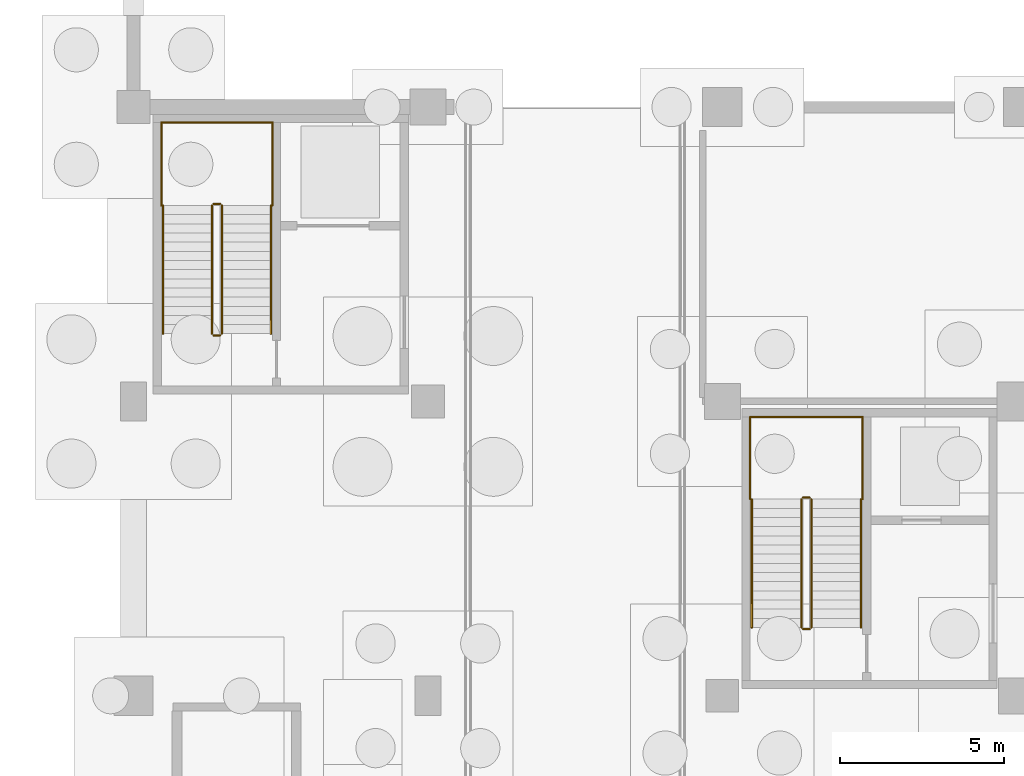
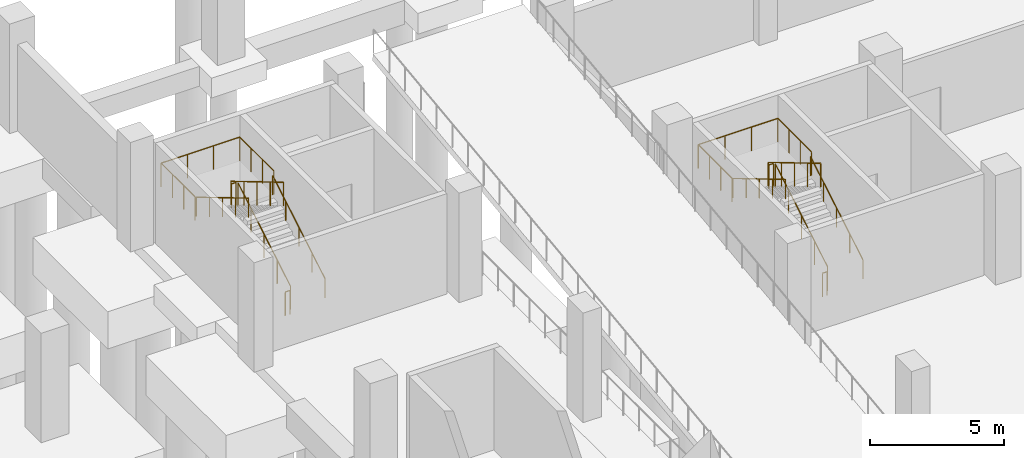
# One storey, part 33 of 37: 18 railings.
"""IFC4 building model written with IfcOpenShell, lengths in metres."""

import ifcopenshell
import ifcopenshell.guid

model = None  # the IFC model being written
_history = None  # IfcOwnerHistory: only IFC2X3 demands one
_inside = {}  # id of a spatial element -> (the spatial element, [elements in it])
_under = {}  # id of a project, library or spatial element -> (it, [spatial elements below it])
_declared = {}  # id of a project -> (the project, [libraries it declares])
_typed = {}  # id of a type object -> (the type object, [elements of that type])
_made_of = {}  # id of a material, layer set ... -> (it, [elements and type objects made of it])


def new_model(schema):
    """Start an empty IFC model of exactly this schema.

    Asked for "IFC4X3", IfcOpenShell would pick the latest addendum, in which some entities
    have other attributes; the version numbers below select the first issue.
    IFC2X3 requires an IfcOwnerHistory on every rooted entity: one is made here for all.
    """
    global model, _history
    if schema == "IFC4X3":
        model = ifcopenshell.file(schema_version=(4, 3, 0, 0))
    else:
        model = ifcopenshell.file(schema=schema)
    _inside.clear()
    _under.clear()
    _declared.clear()
    _typed.clear()
    _made_of.clear()
    _history = None
    if model.schema == "IFC2X3":
        org = make("IfcOrganization", Name="unknown")
        user = make(
            "IfcPersonAndOrganization",
            ThePerson=make("IfcPerson", FamilyName="unknown"),
            TheOrganization=org,
        )
        app = make(
            "IfcApplication",
            ApplicationDeveloper=org,
            Version="unknown",
            ApplicationFullName="unknown",
            ApplicationIdentifier="unknown",
        )
        _history = make(
            "IfcOwnerHistory",
            OwningUser=user,
            OwningApplication=app,
            ChangeAction="ADDED",
            CreationDate=0,
        )
    return model


def make(cls, **values):
    """One entity of the class cls with the attributes given. An attribute that is None is left unset."""
    return model.create_entity(
        cls, **{name: value for name, value in values.items() if value is not None}
    )


def rooted(cls, **values):
    """An entity with a GlobalId (a new one), such as an element, a storey or a relation."""
    return make(cls, GlobalId=ifcopenshell.guid.new(), OwnerHistory=_history, **values)


def si_unit(unit_type, name, prefix=None):
    """IfcSIUnit, for example si_unit("LENGTHUNIT", "METRE", prefix="MILLI")."""
    return make("IfcSIUnit", UnitType=unit_type, Prefix=prefix, Name=name)


def assignment(units):
    """IfcUnitAssignment: the units of a project."""
    return None if units is None else make("IfcUnitAssignment", Units=units)


def point(xyz):
    """IfcCartesianPoint."""
    return None if xyz is None else make("IfcCartesianPoint", Coordinates=xyz)


def direction(xyz):
    """IfcDirection."""
    return None if xyz is None else make("IfcDirection", DirectionRatios=xyz)


def frame(location, z_axis=None, x_axis=None):
    """IfcAxis2Placement3D, a coordinate frame: its origin and axes. An axis left out is left unset."""
    return make(
        "IfcAxis2Placement3D",
        Location=point(location),
        Axis=direction(z_axis),
        RefDirection=direction(x_axis),
    )


def frame_2d(location, x_axis=None):
    """IfcAxis2Placement2D, a coordinate frame in the plane: its origin and x axis."""
    return make(
        "IfcAxis2Placement2D", Location=point(location), RefDirection=direction(x_axis)
    )


def origin():
    """The frame at (0, 0, 0) with its axes left unset."""
    return frame((0.0, 0.0, 0.0))


def origin_2d():
    """The frame at (0, 0) in the plane with its x axis left unset."""
    return frame_2d((0.0, 0.0))


def place(relative_to, where):
    """IfcLocalPlacement: puts the frame where relative to a parent placement (None: the world)."""
    return make(
        "IfcLocalPlacement", PlacementRelTo=relative_to, RelativePlacement=where
    )


def context(
    kind, dimensions, precision=None, world=None, true_north=None, identifier=None
):
    """IfcGeometricRepresentationContext, for example the 3D "Model" context."""
    return make(
        "IfcGeometricRepresentationContext",
        ContextIdentifier=identifier,
        ContextType=kind,
        CoordinateSpaceDimension=dimensions,
        Precision=precision,
        WorldCoordinateSystem=world,
        TrueNorth=true_north,
    )


def subcontext(parent, identifier, kind, view, scale=None):
    """IfcGeometricRepresentationSubContext, for example "Body" below "Model"."""
    return make(
        "IfcGeometricRepresentationSubContext",
        ContextIdentifier=identifier,
        ContextType=kind,
        ParentContext=parent,
        TargetScale=scale,
        TargetView=view,
    )


def project(units=None, contexts=None):
    """IfcProject with its units and contexts."""
    return rooted(
        "IfcProject",
        Name="project",
        RepresentationContexts=contexts,
        UnitsInContext=assignment(units),
    )


def spatial(cls, under=None, at=None, **own):
    """A site, building, storey or space (cls), placed at a placement, below another one or the project."""
    s = rooted(cls, ObjectPlacement=at, **own)
    if under is not None:
        _under.setdefault(under.id(), (under, []))[1].append(s)
    return s


def profile(cls, at=None, kind="AREA", **sizes):
    """A parametric profile (cls). Its sizes go by their IFC names, for example OverallWidth=200.0."""
    return make(cls, ProfileType=kind, Position=at, **sizes)


def circle(**sizes):
    """IfcCircleProfileDef."""
    return profile("IfcCircleProfileDef", **sizes)


def extrude(swept, where, along, depth):
    """IfcExtrudedAreaSolid: the profile swept, set in the frame where, extruded along a direction by depth."""
    return make(
        "IfcExtrudedAreaSolid",
        SweptArea=swept,
        Position=where,
        ExtrudedDirection=direction(along),
        Depth=depth,
    )


def shape(context_of_items, identifier, shape_type, items):
    """IfcShapeRepresentation: the items that make up one representation, for example the "Body"."""
    return make(
        "IfcShapeRepresentation",
        ContextOfItems=context_of_items,
        RepresentationIdentifier=identifier,
        RepresentationType=shape_type,
        Items=items,
    )


def material(Name=None, Category=None):
    """IfcMaterial."""
    return make("IfcMaterial", Name=Name, Category=Category)


def made_of(thing, what):
    """Note that an element or type object is made of a material, layer set ...; save() writes the relation."""
    if what is not None:
        _made_of.setdefault(what.id(), (what, []))[1].append(thing)
    return thing


def type_object(cls, material=None, **own):
    """A type object (cls), such as IfcWallType, which elements share."""
    return made_of(rooted(cls, **own), material)


def element(
    cls,
    number,
    at=None,
    inside=None,
    cuts=None,
    type_object=None,
    material=None,
    context=None,
    identifier="Body",
    shape_type=None,
    held_by="IfcProductDefinitionShape",
    body=None,
    shapes=None,
    **own,
):
    """One element of the class cls, such as IfcWall. Its Tag is "e" and its number.

    at: its placement. inside: the storey or other place that contains it. cuts: it is an
    opening in that element (IfcRelVoidsElement). A single representation is given by context,
    identifier, shape_type and body (its items); several are given by shapes. held_by: the class
    of the entity that holds the representations. save() writes the other relations.
    """
    e = rooted(cls, Tag="e%d" % number, ObjectPlacement=at, **own)
    if body is not None:
        shapes = [shape(context, identifier, shape_type, body)]
    if shapes is not None:
        e.Representation = make(held_by, Representations=shapes)
    if inside is not None:
        _inside.setdefault(inside.id(), (inside, []))[1].append(e)
    if cuts is not None:
        rooted(
            "IfcRelVoidsElement", RelatingBuildingElement=cuts, RelatedOpeningElement=e
        )
    if type_object is not None:
        _typed.setdefault(type_object.id(), (type_object, []))[1].append(e)
    return made_of(e, material)


def aggregate(whole, parts):
    """IfcRelAggregates: a whole, such as a stair, and the parts it consists of."""
    return rooted("IfcRelAggregates", RelatingObject=whole, RelatedObjects=parts)


def save(model, path):
    """Write the relations noted so far, then the file.

    IfcRelAggregates (storeys below a building ...), IfcRelContainedInSpatialStructure (elements
    in a storey), IfcRelDefinesByType, IfcRelAssociatesMaterial and IfcRelDeclares: one each for
    every whole, place, type object, material and project.
    """
    for whole, parts in _under.values():
        aggregate(whole, parts)
    for where, things in _inside.values():
        rooted(
            "IfcRelContainedInSpatialStructure",
            RelatedElements=things,
            RelatingStructure=where,
        )
    for kind, things in _typed.values():
        rooted("IfcRelDefinesByType", RelatedObjects=things, RelatingType=kind)
    for what, things in _made_of.values():
        rooted("IfcRelAssociatesMaterial", RelatedObjects=things, RelatingMaterial=what)
    for by, libraries in _declared.values():
        rooted("IfcRelDeclares", RelatingContext=by, RelatedDefinitions=libraries)
    model.write(path)


model = new_model("IFC4")

# Units and contexts
model_context = context("Model", 3, precision=1e-05, world=origin(), true_north=direction((0.0, 1.0)))
body_context = subcontext(model_context, "Body", "Model", "MODEL_VIEW")
ifc_project = project(units=[si_unit("LENGTHUNIT", "METRE"), si_unit("AREAUNIT", "SQUARE_METRE"), si_unit("VOLUMEUNIT", "CUBIC_METRE"), si_unit("PLANEANGLEUNIT", "RADIAN"), si_unit("MASSUNIT", "GRAM", prefix="KILO")], contexts=[model_context])

# Site, building, storey
site_placement = place(None, origin())
site = spatial("IfcSite", under=ifc_project, at=site_placement, CompositionType="ELEMENT")
building_placement = place(site_placement, origin())
building = spatial("IfcBuilding", under=site, at=building_placement, Name="Barlavento Convention Centre", CompositionType="ELEMENT")
storey_placement = place(building_placement, frame((0.0, 0.0, -5.0)))
storey = spatial("IfcBuildingStorey", under=building, at=storey_placement, Name="B1", CompositionType="ELEMENT", Elevation=-5.0)

# Railings
ifc_material_1 = material(Name="Stainless steel and laminated glass balustrade", Category="steel")
railing_type_1 = type_object("IfcRailingType", Name="ARC-RAL-BAL-1100", PredefinedType="BALUSTRADE", material=ifc_material_1)
railing_1_placement = place(storey_placement, frame((146.719970703125, 92.090087890625, 0.166748046875)))
element("IfcRailing", 1, at=railing_1_placement, inside=storey, type_object=railing_type_1, Name="B1 ST09 stair guard 1", PredefinedType="BALUSTRADE", context=body_context, shape_type="SweptSolid", body=[
    extrude(circle(Radius=0.02392578125, at=origin_2d()), frame((0.0, 0.0, 1.076171875), z_axis=(0.0, 0.859296244711, 0.511478214419), x_axis=(-1.0, 0.0, 0.0)), (0.0, 0.0, 1.0), 4.561767578125),
    extrude(circle(Radius=0.02099609375, at=origin_2d()), origin(), (0.0, 0.0, 1.0), 1.052001953125),
    extrude(circle(Radius=0.02099609375, at=origin_2d()), frame((0.0, 0.97998046875, 0.583251953125)), (0.0, 0.0, 1.0), 1.052001953125),
    extrude(circle(Radius=0.02099609375, at=origin_2d()), frame((0.0, 1.9599609375, 1.16650390625)), (0.0, 0.0, 1.0), 1.052001953125),
    extrude(circle(Radius=0.02099609375, at=origin_2d()), frame((0.0, 2.93994140625, 1.75)), (0.0, 0.0, 1.0), 1.052001953125),
    extrude(circle(Radius=0.02099609375, at=origin_2d()), frame((0.0, 3.919921875, 2.333251953125)), (0.0, 0.0, 1.0), 1.052001953125),
])
railing_2_placement = place(storey_placement, frame((146.669921875, 96.06005859375, 2.5)))
element("IfcRailing", 2, at=railing_2_placement, inside=storey, type_object=railing_type_1, Name="B1 ST09 stair guard 2", PredefinedType="BALUSTRADE", context=body_context, shape_type="SweptSolid", body=[
    extrude(circle(Radius=0.02392578125, at=origin_2d()), frame((0.0, 0.0, 1.076171875), z_axis=(-1.0, 0.0, 0.0), x_axis=(0.0, -1.0, 0.0)), (0.0, 0.0, 1.0), 0.199951171875),
    extrude(circle(Radius=0.02099609375, at=origin_2d()), origin(), (0.0, 0.0, 1.0), 1.052001953125),
    extrude(circle(Radius=0.02099609375, at=origin_2d()), frame((-0.199951171875, 0.0, 0.0)), (0.0, 0.0, 1.0), 1.052001953125),
])
railing_3_placement = place(storey_placement, frame((146.419921875, 96.010009765625, 2.666748046875)))
element("IfcRailing", 3, at=railing_3_placement, inside=storey, type_object=railing_type_1, Name="B1 ST09 stair guard 3", PredefinedType="BALUSTRADE", context=body_context, shape_type="SweptSolid", body=[
    extrude(circle(Radius=0.02392578125, at=origin_2d()), frame((0.0, 0.0, 1.076171875), z_axis=(0.0, -0.859296244711, 0.511478214419), x_axis=(1.0, 0.0, 0.0)), (0.0, 0.0, 1.0), 4.561767578125),
    extrude(circle(Radius=0.02099609375, at=origin_2d()), origin(), (0.0, 0.0, 1.0), 1.052001953125),
    extrude(circle(Radius=0.02099609375, at=origin_2d()), frame((0.0, -0.97998046875, 0.583251953125)), (0.0, 0.0, 1.0), 1.052001953125),
    extrude(circle(Radius=0.02099609375, at=origin_2d()), frame((0.0, -1.9599609375, 1.16650390625)), (0.0, 0.0, 1.0), 1.052001953125),
    extrude(circle(Radius=0.02099609375, at=origin_2d()), frame((0.0, -2.93994140625, 1.75)), (0.0, 0.0, 1.0), 1.052001953125),
    extrude(circle(Radius=0.02099609375, at=origin_2d()), frame((0.0, -3.919921875, 2.333251953125)), (0.0, 0.0, 1.0), 1.052001953125),
])
railing_4_placement = place(storey_placement, frame((146.669921875, 92.0400390625, 0.0)))
element("IfcRailing", 4, at=railing_4_placement, inside=storey, type_object=railing_type_1, Name="B1 ST09 stair guard 4", PredefinedType="BALUSTRADE", context=body_context, shape_type="SweptSolid", body=[
    extrude(circle(Radius=0.02392578125, at=origin_2d()), frame((0.0, 0.0, 1.076171875), z_axis=(-1.0, 0.0, 0.0), x_axis=(0.0, -1.0, 0.0)), (0.0, 0.0, 1.0), 0.199951171875),
    extrude(circle(Radius=0.02099609375, at=origin_2d()), origin(), (0.0, 0.0, 1.0), 1.052001953125),
    extrude(circle(Radius=0.02099609375, at=origin_2d()), frame((-0.199951171875, 0.0, 0.0)), (0.0, 0.0, 1.0), 1.052001953125),
])
for number, where, name in (
    (5, (148.2900390625, 96.010009765625, 2.5), "B1 landing guard GR01"),
    (6, (144.85009765625, 96.010009765625, 2.5), "B1 landing guard GR01"),
):
    element("IfcRailing", number, at=place(storey_placement, frame(where)), inside=storey, type_object=railing_type_1, Name=name, PredefinedType="BALUSTRADE", context=body_context, shape_type="SweptSolid", body=[
        extrude(circle(Radius=0.02392578125, at=origin_2d()), frame((0.0, 0.0, 1.076171875), z_axis=(0.0, 1.0, 0.0), x_axis=(-1.0, 0.0, 0.0)), (0.0, 0.0, 1.0), 2.52001953125),
        extrude(circle(Radius=0.02099609375, at=origin_2d()), origin(), (0.0, 0.0, 1.0), 1.052001953125),
        extrude(circle(Radius=0.02099609375, at=origin_2d()), frame((0.0, 0.840087890625, 0.0)), (0.0, 0.0, 1.0), 1.052001953125),
        extrude(circle(Radius=0.02099609375, at=origin_2d()), frame((0.0, 1.679931640625, 0.0)), (0.0, 0.0, 1.0), 1.052001953125),
        extrude(circle(Radius=0.02099609375, at=origin_2d()), frame((0.0, 2.52001953125, 0.0)), (0.0, 0.0, 1.0), 1.052001953125),
    ])
railing_5_placement = place(storey_placement, frame((148.2900390625, 98.530029296875, 2.5)))
element("IfcRailing", 7, at=railing_5_placement, inside=storey, type_object=railing_type_1, Name="B1 landing guard GR01", PredefinedType="BALUSTRADE", context=body_context, shape_type="SweptSolid", body=[
    extrude(circle(Radius=0.02392578125, at=origin_2d()), frame((0.0, 0.0, 1.076171875), z_axis=(-1.0, 0.0, 0.0), x_axis=(0.0, -1.0, 0.0)), (0.0, 0.0, 1.0), 3.43994140625),
    extrude(circle(Radius=0.02099609375, at=origin_2d()), origin(), (0.0, 0.0, 1.0), 1.052001953125),
    extrude(circle(Radius=0.02099609375, at=origin_2d()), frame((-1.146728515625, 0.0, 0.0)), (0.0, 0.0, 1.0), 1.052001953125),
    extrude(circle(Radius=0.02099609375, at=origin_2d()), frame((-2.293212890625, 0.0, 0.0)), (0.0, 0.0, 1.0), 1.052001953125),
    extrude(circle(Radius=0.02099609375, at=origin_2d()), frame((-3.43994140625, 0.0, 0.0)), (0.0, 0.0, 1.0), 1.052001953125),
])
railing_6_placement = place(storey_placement, frame((128.699951171875, 101.070068359375, 0.166748046875)))
element("IfcRailing", 8, at=railing_6_placement, inside=storey, type_object=railing_type_1, Name="B1 ST10 stair guard 1", PredefinedType="BALUSTRADE", context=body_context, shape_type="SweptSolid", body=[
    extrude(circle(Radius=0.02392578125, at=origin_2d()), frame((0.0, 0.0, 1.076171875), z_axis=(0.0, 0.859296244711, 0.511478214419), x_axis=(-1.0, 0.0, 0.0)), (0.0, 0.0, 1.0), 4.561767578125),
    extrude(circle(Radius=0.02099609375, at=origin_2d()), origin(), (0.0, 0.0, 1.0), 1.052001953125),
    extrude(circle(Radius=0.02099609375, at=origin_2d()), frame((0.0, 0.97998046875, 0.583251953125)), (0.0, 0.0, 1.0), 1.052001953125),
    extrude(circle(Radius=0.02099609375, at=origin_2d()), frame((0.0, 1.9599609375, 1.16650390625)), (0.0, 0.0, 1.0), 1.052001953125),
    extrude(circle(Radius=0.02099609375, at=origin_2d()), frame((0.0, 2.93994140625, 1.75)), (0.0, 0.0, 1.0), 1.052001953125),
    extrude(circle(Radius=0.02099609375, at=origin_2d()), frame((0.0, 3.919921875, 2.333251953125)), (0.0, 0.0, 1.0), 1.052001953125),
])
railing_7_placement = place(storey_placement, frame((128.64990234375, 105.0400390625, 2.5)))
element("IfcRailing", 9, at=railing_7_placement, inside=storey, type_object=railing_type_1, Name="B1 ST10 stair guard 2", PredefinedType="BALUSTRADE", context=body_context, shape_type="SweptSolid", body=[
    extrude(circle(Radius=0.02392578125, at=origin_2d()), frame((0.0, 0.0, 1.076171875), z_axis=(-1.0, 0.0, 0.0), x_axis=(0.0, -1.0, 0.0)), (0.0, 0.0, 1.0), 0.199951171875),
    extrude(circle(Radius=0.02099609375, at=origin_2d()), origin(), (0.0, 0.0, 1.0), 1.052001953125),
    extrude(circle(Radius=0.02099609375, at=origin_2d()), frame((-0.199951171875, 0.0, 0.0)), (0.0, 0.0, 1.0), 1.052001953125),
])
railing_8_placement = place(storey_placement, frame((128.39990234375, 104.989990234375, 2.666748046875)))
element("IfcRailing", 10, at=railing_8_placement, inside=storey, type_object=railing_type_1, Name="B1 ST10 stair guard 3", PredefinedType="BALUSTRADE", context=body_context, shape_type="SweptSolid", body=[
    extrude(circle(Radius=0.02392578125, at=origin_2d()), frame((0.0, 0.0, 1.076171875), z_axis=(0.0, -0.859296244711, 0.511478214419), x_axis=(1.0, 0.0, 0.0)), (0.0, 0.0, 1.0), 4.561767578125),
    extrude(circle(Radius=0.02099609375, at=origin_2d()), origin(), (0.0, 0.0, 1.0), 1.052001953125),
    extrude(circle(Radius=0.02099609375, at=origin_2d()), frame((0.0, -0.97998046875, 0.583251953125)), (0.0, 0.0, 1.0), 1.052001953125),
    extrude(circle(Radius=0.02099609375, at=origin_2d()), frame((0.0, -1.9599609375, 1.16650390625)), (0.0, 0.0, 1.0), 1.052001953125),
    extrude(circle(Radius=0.02099609375, at=origin_2d()), frame((0.0, -2.93994140625, 1.75)), (0.0, 0.0, 1.0), 1.052001953125),
    extrude(circle(Radius=0.02099609375, at=origin_2d()), frame((0.0, -3.919921875, 2.333251953125)), (0.0, 0.0, 1.0), 1.052001953125),
])
railing_9_placement = place(storey_placement, frame((128.64990234375, 101.02001953125, 0.0)))
element("IfcRailing", 11, at=railing_9_placement, inside=storey, type_object=railing_type_1, Name="B1 ST10 stair guard 4", PredefinedType="BALUSTRADE", context=body_context, shape_type="SweptSolid", body=[
    extrude(circle(Radius=0.02392578125, at=origin_2d()), frame((0.0, 0.0, 1.076171875), z_axis=(-1.0, 0.0, 0.0), x_axis=(0.0, -1.0, 0.0)), (0.0, 0.0, 1.0), 0.199951171875),
    extrude(circle(Radius=0.02099609375, at=origin_2d()), origin(), (0.0, 0.0, 1.0), 1.052001953125),
    extrude(circle(Radius=0.02099609375, at=origin_2d()), frame((-0.199951171875, 0.0, 0.0)), (0.0, 0.0, 1.0), 1.052001953125),
])
for number, where, name in (
    (12, (130.25, 104.989990234375, 2.5), "B1 landing guard GR01"),
    (13, (126.85009765625, 104.989990234375, 2.5), "B1 landing guard GR01"),
):
    element("IfcRailing", number, at=place(storey_placement, frame(where)), inside=storey, type_object=railing_type_1, Name=name, PredefinedType="BALUSTRADE", context=body_context, shape_type="SweptSolid", body=[
        extrude(circle(Radius=0.02392578125, at=origin_2d()), frame((0.0, 0.0, 1.076171875), z_axis=(0.0, 1.0, 0.0), x_axis=(-1.0, 0.0, 0.0)), (0.0, 0.0, 1.0), 2.5400390625),
        extrude(circle(Radius=0.02099609375, at=origin_2d()), origin(), (0.0, 0.0, 1.0), 1.052001953125),
        extrude(circle(Radius=0.02099609375, at=origin_2d()), frame((0.0, 0.8466796875, 0.0)), (0.0, 0.0, 1.0), 1.052001953125),
        extrude(circle(Radius=0.02099609375, at=origin_2d()), frame((0.0, 1.693359375, 0.0)), (0.0, 0.0, 1.0), 1.052001953125),
        extrude(circle(Radius=0.02099609375, at=origin_2d()), frame((0.0, 2.5400390625, 0.0)), (0.0, 0.0, 1.0), 1.052001953125),
    ])
railing_10_placement = place(storey_placement, frame((130.25, 107.530029296875, 2.5)))
element("IfcRailing", 14, at=railing_10_placement, inside=storey, type_object=railing_type_1, Name="B1 landing guard GR01", PredefinedType="BALUSTRADE", context=body_context, shape_type="SweptSolid", body=[
    extrude(circle(Radius=0.02392578125, at=origin_2d()), frame((0.0, 0.0, 1.076171875), z_axis=(-1.0, 0.0, 0.0), x_axis=(0.0, -1.0, 0.0)), (0.0, 0.0, 1.0), 3.39990234375),
    extrude(circle(Radius=0.02099609375, at=origin_2d()), origin(), (0.0, 0.0, 1.0), 1.052001953125),
    extrude(circle(Radius=0.02099609375, at=origin_2d()), frame((-1.13330078125, 0.0, 0.0)), (0.0, 0.0, 1.0), 1.052001953125),
    extrude(circle(Radius=0.02099609375, at=origin_2d()), frame((-2.2666015625, 0.0, 0.0)), (0.0, 0.0, 1.0), 1.052001953125),
    extrude(circle(Radius=0.02099609375, at=origin_2d()), frame((-3.39990234375, 0.0, 0.0)), (0.0, 0.0, 1.0), 1.052001953125),
])
ifc_material_2 = material(Name="Brushed stainless steel tubular handrail", Category="steel")
railing_type_2 = type_object("IfcRailingType", Name="ARC-RAL-HR-900", PredefinedType="HANDRAIL", material=ifc_material_2)
railing_11_placement = place(storey_placement, frame((148.239990234375, 92.090087890625, 0.166748046875)))
element("IfcRailing", 15, at=railing_11_placement, inside=storey, type_object=railing_type_2, Name="B1 ST09 stair handrail 1", PredefinedType="HANDRAIL", context=body_context, shape_type="SweptSolid", body=[
    extrude(circle(Radius=0.02392578125, at=origin_2d()), frame((0.0, 0.0, 0.8759765625), z_axis=(0.0, 0.859296244711, 0.511478214419), x_axis=(-1.0, 0.0, 0.0)), (0.0, 0.0, 1.0), 4.561767578125),
    extrude(circle(Radius=0.02099609375, at=origin_2d()), origin(), (0.0, 0.0, 1.0), 0.851806640625),
    extrude(circle(Radius=0.02099609375, at=origin_2d()), frame((0.0, 0.97998046875, 0.583251953125)), (0.0, 0.0, 1.0), 0.851806640625),
    extrude(circle(Radius=0.02099609375, at=origin_2d()), frame((0.0, 1.9599609375, 1.16650390625)), (0.0, 0.0, 1.0), 0.851806640625),
    extrude(circle(Radius=0.02099609375, at=origin_2d()), frame((0.0, 2.93994140625, 1.75)), (0.0, 0.0, 1.0), 0.851806640625),
    extrude(circle(Radius=0.02099609375, at=origin_2d()), frame((0.0, 3.919921875, 2.333251953125)), (0.0, 0.0, 1.0), 0.851806640625),
])
railing_12_placement = place(storey_placement, frame((144.89990234375, 96.010009765625, 2.666748046875)))
element("IfcRailing", 16, at=railing_12_placement, inside=storey, type_object=railing_type_2, Name="B1 ST09 stair handrail 2", PredefinedType="HANDRAIL", context=body_context, shape_type="SweptSolid", body=[
    extrude(circle(Radius=0.02392578125, at=origin_2d()), frame((0.0, 0.0, 0.8759765625), z_axis=(0.0, -0.859296244711, 0.511478214419), x_axis=(1.0, 0.0, 0.0)), (0.0, 0.0, 1.0), 4.561767578125),
    extrude(circle(Radius=0.02099609375, at=origin_2d()), origin(), (0.0, 0.0, 1.0), 0.851806640625),
    extrude(circle(Radius=0.02099609375, at=origin_2d()), frame((0.0, -0.97998046875, 0.583251953125)), (0.0, 0.0, 1.0), 0.851806640625),
    extrude(circle(Radius=0.02099609375, at=origin_2d()), frame((0.0, -1.9599609375, 1.16650390625)), (0.0, 0.0, 1.0), 0.851806640625),
    extrude(circle(Radius=0.02099609375, at=origin_2d()), frame((0.0, -2.93994140625, 1.75)), (0.0, 0.0, 1.0), 0.851806640625),
    extrude(circle(Radius=0.02099609375, at=origin_2d()), frame((0.0, -3.919921875, 2.333251953125)), (0.0, 0.0, 1.0), 0.851806640625),
])
railing_13_placement = place(storey_placement, frame((130.199951171875, 101.070068359375, 0.166748046875)))
element("IfcRailing", 17, at=railing_13_placement, inside=storey, type_object=railing_type_2, Name="B1 ST10 stair handrail 1", PredefinedType="HANDRAIL", context=body_context, shape_type="SweptSolid", body=[
    extrude(circle(Radius=0.02392578125, at=origin_2d()), frame((0.0, 0.0, 0.8759765625), z_axis=(0.0, 0.859296244711, 0.511478214419), x_axis=(-1.0, 0.0, 0.0)), (0.0, 0.0, 1.0), 4.561767578125),
    extrude(circle(Radius=0.02099609375, at=origin_2d()), origin(), (0.0, 0.0, 1.0), 0.851806640625),
    extrude(circle(Radius=0.02099609375, at=origin_2d()), frame((0.0, 0.97998046875, 0.583251953125)), (0.0, 0.0, 1.0), 0.851806640625),
    extrude(circle(Radius=0.02099609375, at=origin_2d()), frame((0.0, 1.9599609375, 1.16650390625)), (0.0, 0.0, 1.0), 0.851806640625),
    extrude(circle(Radius=0.02099609375, at=origin_2d()), frame((0.0, 2.93994140625, 1.75)), (0.0, 0.0, 1.0), 0.851806640625),
    extrude(circle(Radius=0.02099609375, at=origin_2d()), frame((0.0, 3.919921875, 2.333251953125)), (0.0, 0.0, 1.0), 0.851806640625),
])
railing_14_placement = place(storey_placement, frame((126.89990234375, 104.989990234375, 2.666748046875)))
element("IfcRailing", 18, at=railing_14_placement, inside=storey, type_object=railing_type_2, Name="B1 ST10 stair handrail 2", PredefinedType="HANDRAIL", context=body_context, shape_type="SweptSolid", body=[
    extrude(circle(Radius=0.02392578125, at=origin_2d()), frame((0.0, 0.0, 0.8759765625), z_axis=(0.0, -0.859296244711, 0.511478214419), x_axis=(1.0, 0.0, 0.0)), (0.0, 0.0, 1.0), 4.561767578125),
    extrude(circle(Radius=0.02099609375, at=origin_2d()), origin(), (0.0, 0.0, 1.0), 0.851806640625),
    extrude(circle(Radius=0.02099609375, at=origin_2d()), frame((0.0, -0.97998046875, 0.583251953125)), (0.0, 0.0, 1.0), 0.851806640625),
    extrude(circle(Radius=0.02099609375, at=origin_2d()), frame((0.0, -1.9599609375, 1.16650390625)), (0.0, 0.0, 1.0), 0.851806640625),
    extrude(circle(Radius=0.02099609375, at=origin_2d()), frame((0.0, -2.93994140625, 1.75)), (0.0, 0.0, 1.0), 0.851806640625),
    extrude(circle(Radius=0.02099609375, at=origin_2d()), frame((0.0, -3.919921875, 2.333251953125)), (0.0, 0.0, 1.0), 0.851806640625),
])

save(model, "model.ifc")
